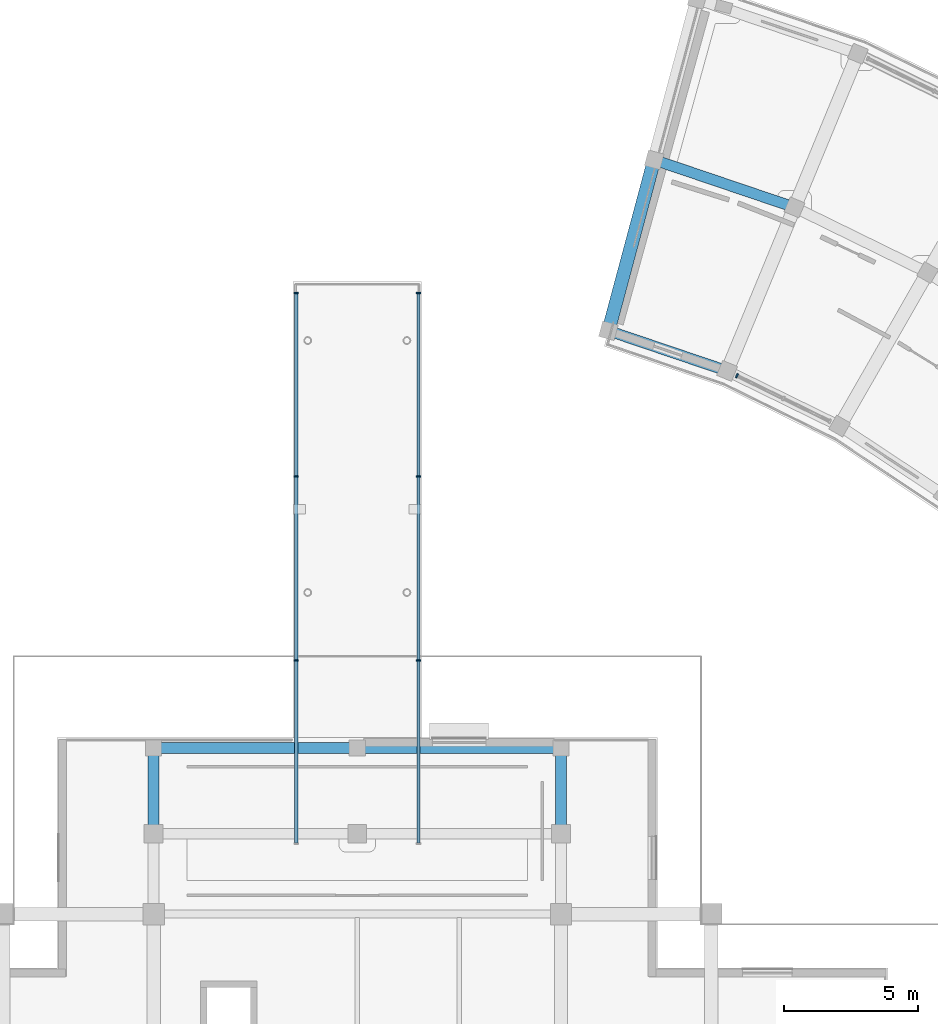
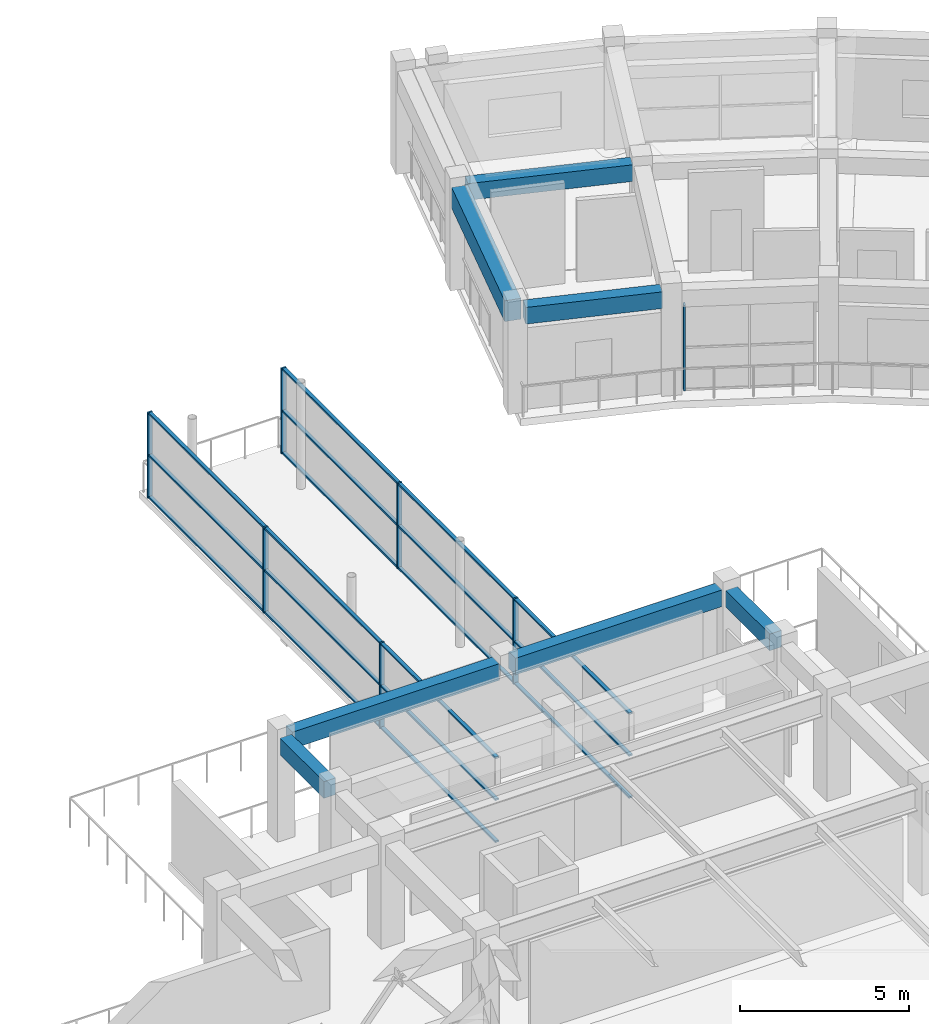
# One storey, part 31 of 72: 25 members, 7 beams, 3 elements without a shape of their own.
"""IFC4 building model written with IfcOpenShell, lengths in metres."""

from ifc_helpers import new_model, si_unit, direction, frame, origin, origin_2d, place, context, subcontext, project, spatial, rectangle, extrude, material, material_profile, profile_set, type_object, element, aggregate, save


model = new_model("IFC4")

# Units and contexts
model_context = context("Model", 3, precision=1e-05, world=origin(), true_north=direction((0.0, 1.0)))
body_context = subcontext(model_context, "Body", "Model", "MODEL_VIEW")
ifc_project = project(units=[si_unit("LENGTHUNIT", "METRE"), si_unit("AREAUNIT", "SQUARE_METRE"), si_unit("VOLUMEUNIT", "CUBIC_METRE"), si_unit("PLANEANGLEUNIT", "RADIAN"), si_unit("MASSUNIT", "GRAM", prefix="KILO")], contexts=[model_context])

# Site, building, storey
site_placement = place(None, origin())
site = spatial("IfcSite", under=ifc_project, at=site_placement, CompositionType="ELEMENT")
building_placement = place(site_placement, origin())
building = spatial("IfcBuilding", under=site, at=building_placement, Name="Saryqyr Civic Hall", CompositionType="ELEMENT")
storey_placement = place(building_placement, frame((0.0, 0.0, 17.25)))
storey = spatial("IfcBuildingStorey", under=building, at=storey_placement, Name="L04", CompositionType="ELEMENT", Elevation=17.25)

# Curtain wall, member
ifc_material_1 = material(Name="Anodised aluminium and triple low-E glass", Category="aluminium")
curtain_wall_type_1 = type_object("IfcCurtainWallType", Name="ENV-CW-STD-17", PredefinedType="NOTDEFINED", material=ifc_material_1)
curtain_wall_1_placement = place(storey_placement, origin())
curtain_wall_1 = element("IfcCurtainWall", 1, at=curtain_wall_1_placement, inside=storey, type_object=curtain_wall_type_1, Name="Curtain wall V6-CWI-L04-08", PredefinedType="NOTDEFINED")
ifc_material_2 = material(Name="Anodised aluminium", Category="aluminium")
ifc_material_profile_1 = material_profile(ifc_material_2, rectangle(XDim=0.06005859375, YDim=0.159912109375, at=origin_2d()), Name="ALU MULLION 60x160")
ifc_profile_set_1 = profile_set([ifc_material_profile_1], Name="Anodised aluminium")
member_type_1 = type_object("IfcMemberType", Name="ENV-CW-MUL-180", PredefinedType="MULLION", material=ifc_profile_set_1)
member_1_placement = place(storey_placement, frame((71.16455078125, 117.28759765625, 0.0), z_axis=(0.0, 0.0, 1.0), x_axis=(-0.897961859945, 0.440073287175, 0.0)))
member_1 = element("IfcMember", 2, at=member_1_placement, type_object=member_type_1, Name="CW-17 mullion 3", PredefinedType="MULLION", context=body_context, shape_type="SweptSolid", body=[
    extrude(rectangle(XDim=0.06005859375, YDim=0.159912109375, at=origin_2d()), origin(), (0.0, 0.0, 1.0), 3.0849609375),
])
aggregate(curtain_wall_1, [member_1])

# Curtain wall, members
curtain_wall_type_2 = type_object("IfcCurtainWallType", Name="ENV-CW-STD-88", PredefinedType="NOTDEFINED", material=ifc_material_1)
curtain_wall_2_placement = place(storey_placement, origin())
curtain_wall_2 = element("IfcCurtainWall", 3, at=curtain_wall_2_placement, inside=storey, type_object=curtain_wall_type_2, Name="Curtain wall BR-CN-CW1-L04", PredefinedType="NOTDEFINED")
member_2_placement = place(storey_placement, frame((54.719970703125, 106.666748046875, 0.0), z_axis=(0.0, 0.0, 1.0), x_axis=(0.0, 1.0, 0.0)))
member_2 = element("IfcMember", 4, at=member_2_placement, type_object=member_type_1, Name="CW-88 mullion 2", PredefinedType="MULLION", context=body_context, shape_type="SweptSolid", body=[
    extrude(rectangle(XDim=0.06005859375, YDim=0.159912109375, at=origin_2d()), origin(), (0.0, 0.0, 1.0), 3.0849609375),
])
member_3_placement = place(storey_placement, frame((54.719970703125, 113.533447265625, 0.0), z_axis=(0.0, 0.0, 1.0), x_axis=(0.0, 1.0, 0.0)))
member_3 = element("IfcMember", 5, at=member_3_placement, type_object=member_type_1, Name="CW-88 mullion 3", PredefinedType="MULLION", context=body_context, shape_type="SweptSolid", body=[
    extrude(rectangle(XDim=0.06005859375, YDim=0.159912109375, at=origin_2d()), origin(), (0.0, 0.0, 1.0), 3.0849609375),
])
member_4_placement = place(storey_placement, frame((54.719970703125, 120.3701171875, 0.0), z_axis=(0.0, 0.0, 1.0), x_axis=(0.0, 1.0, 0.0)))
member_4 = element("IfcMember", 6, at=member_4_placement, type_object=member_type_1, Name="CW-88 mullion 4", PredefinedType="MULLION", context=body_context, shape_type="SweptSolid", body=[
    extrude(rectangle(XDim=0.06005859375, YDim=0.159912109375, at=origin_2d()), origin(), (0.0, 0.0, 1.0), 3.0849609375),
])

curtain_wall_3_placement = place(storey_placement, origin())
curtain_wall_3 = element("IfcCurtainWall", 7, at=curtain_wall_3_placement, inside=storey, type_object=curtain_wall_type_2, Name="Curtain wall BR-CN-CW2-L04", PredefinedType="NOTDEFINED")
member_5_placement = place(storey_placement, frame((59.280029296875, 120.3701171875, 0.0), z_axis=(0.0, 0.0, 1.0), x_axis=(0.0, -1.0, 0.0)))
member_5 = element("IfcMember", 8, at=member_5_placement, type_object=member_type_1, Name="CW-88 mullion 1", PredefinedType="MULLION", context=body_context, shape_type="SweptSolid", body=[
    extrude(rectangle(XDim=0.06005859375, YDim=0.159912109375, at=origin_2d()), origin(), (0.0, 0.0, 1.0), 3.0849609375),
])
member_6_placement = place(storey_placement, frame((59.280029296875, 113.533447265625, 0.0), z_axis=(0.0, 0.0, 1.0), x_axis=(0.0, -1.0, 0.0)))
member_6 = element("IfcMember", 9, at=member_6_placement, type_object=member_type_1, Name="CW-88 mullion 2", PredefinedType="MULLION", context=body_context, shape_type="SweptSolid", body=[
    extrude(rectangle(XDim=0.06005859375, YDim=0.159912109375, at=origin_2d()), origin(), (0.0, 0.0, 1.0), 3.0849609375),
])
member_7_placement = place(storey_placement, frame((59.280029296875, 106.666748046875, 0.0), z_axis=(0.0, 0.0, 1.0), x_axis=(0.0, -1.0, 0.0)))
member_7 = element("IfcMember", 10, at=member_7_placement, type_object=member_type_1, Name="CW-88 mullion 3", PredefinedType="MULLION", context=body_context, shape_type="SweptSolid", body=[
    extrude(rectangle(XDim=0.06005859375, YDim=0.159912109375, at=origin_2d()), origin(), (0.0, 0.0, 1.0), 3.0849609375),
])

# Member
ifc_material_profile_2 = material_profile(ifc_material_2, rectangle(XDim=0.1201171875, YDim=0.06005859375, at=origin_2d()), Name="ALU TRANSOM 120x60")
ifc_profile_set_2 = profile_set([ifc_material_profile_2], Name="Anodised aluminium")
member_type_2 = type_object("IfcMemberType", Name="ENV-CW-TRN-150", PredefinedType="USERDEFINED", material=ifc_profile_set_2)
member_8_placement = place(storey_placement, frame((54.719970703125, 99.860107421875, 0.030029296875), z_axis=(0.0, 1.0, 0.0), x_axis=(-1.0, 0.0, 0.0)))
member_8 = element("IfcMember", 11, at=member_8_placement, type_object=member_type_2, Name="CW-88 transom 1.1", ObjectType="TRANSOM", PredefinedType="USERDEFINED", context=body_context, shape_type="SweptSolid", body=[
    extrude(rectangle(XDim=0.1201171875, YDim=0.06005859375, at=origin_2d()), origin(), (0.0, 0.0, 1.0), 6.776611328125),
])

member_9_placement = place(storey_placement, frame((54.719970703125, 99.860107421875, 1.54296875), z_axis=(0.0, 1.0, 0.0), x_axis=(-1.0, 0.0, 0.0)))
member_9 = element("IfcMember", 12, at=member_9_placement, type_object=member_type_2, Name="CW-88 transom 1.2", ObjectType="TRANSOM", PredefinedType="USERDEFINED", context=body_context, shape_type="SweptSolid", body=[
    extrude(rectangle(XDim=0.1201171875, YDim=0.06005859375, at=origin_2d()), origin(), (0.0, 0.0, 1.0), 6.776611328125),
])

member_10_placement = place(storey_placement, frame((54.719970703125, 99.860107421875, 3.054931640625), z_axis=(0.0, 1.0, 0.0), x_axis=(-1.0, 0.0, 0.0)))
member_10 = element("IfcMember", 13, at=member_10_placement, type_object=member_type_2, Name="CW-88 transom 1.3", ObjectType="TRANSOM", PredefinedType="USERDEFINED", context=body_context, shape_type="SweptSolid", body=[
    extrude(rectangle(XDim=0.1201171875, YDim=0.06005859375, at=origin_2d()), origin(), (0.0, 0.0, 1.0), 6.776611328125),
])

member_11_placement = place(storey_placement, frame((54.719970703125, 106.69677734375, 0.030029296875), z_axis=(0.0, 1.0, 0.0), x_axis=(-1.0, 0.0, 0.0)))
member_11 = element("IfcMember", 14, at=member_11_placement, type_object=member_type_2, Name="CW-88 transom 2.1", ObjectType="TRANSOM", PredefinedType="USERDEFINED", context=body_context, shape_type="SweptSolid", body=[
    extrude(rectangle(XDim=0.1201171875, YDim=0.06005859375, at=origin_2d()), origin(), (0.0, 0.0, 1.0), 6.806640625),
])

member_12_placement = place(storey_placement, frame((54.719970703125, 106.69677734375, 1.54296875), z_axis=(0.0, 1.0, 0.0), x_axis=(-1.0, 0.0, 0.0)))
member_12 = element("IfcMember", 15, at=member_12_placement, type_object=member_type_2, Name="CW-88 transom 2.2", ObjectType="TRANSOM", PredefinedType="USERDEFINED", context=body_context, shape_type="SweptSolid", body=[
    extrude(rectangle(XDim=0.1201171875, YDim=0.06005859375, at=origin_2d()), origin(), (0.0, 0.0, 1.0), 6.806640625),
])

member_13_placement = place(storey_placement, frame((54.719970703125, 106.69677734375, 3.054931640625), z_axis=(0.0, 1.0, 0.0), x_axis=(-1.0, 0.0, 0.0)))
member_13 = element("IfcMember", 16, at=member_13_placement, type_object=member_type_2, Name="CW-88 transom 2.3", ObjectType="TRANSOM", PredefinedType="USERDEFINED", context=body_context, shape_type="SweptSolid", body=[
    extrude(rectangle(XDim=0.1201171875, YDim=0.06005859375, at=origin_2d()), origin(), (0.0, 0.0, 1.0), 6.806640625),
])

member_14_placement = place(storey_placement, frame((54.719970703125, 113.563232421875, 0.030029296875), z_axis=(0.0, 1.0, 0.0), x_axis=(-1.0, 0.0, 0.0)))
member_14 = element("IfcMember", 17, at=member_14_placement, type_object=member_type_2, Name="CW-88 transom 3.1", ObjectType="TRANSOM", PredefinedType="USERDEFINED", context=body_context, shape_type="SweptSolid", body=[
    extrude(rectangle(XDim=0.1201171875, YDim=0.06005859375, at=origin_2d()), origin(), (0.0, 0.0, 1.0), 6.77685546875),
])

member_15_placement = place(storey_placement, frame((54.719970703125, 113.563232421875, 1.54296875), z_axis=(0.0, 1.0, 0.0), x_axis=(-1.0, 0.0, 0.0)))
member_15 = element("IfcMember", 18, at=member_15_placement, type_object=member_type_2, Name="CW-88 transom 3.2", ObjectType="TRANSOM", PredefinedType="USERDEFINED", context=body_context, shape_type="SweptSolid", body=[
    extrude(rectangle(XDim=0.1201171875, YDim=0.06005859375, at=origin_2d()), origin(), (0.0, 0.0, 1.0), 6.77685546875),
])

member_16_placement = place(storey_placement, frame((54.719970703125, 113.563232421875, 3.054931640625), z_axis=(0.0, 1.0, 0.0), x_axis=(-1.0, 0.0, 0.0)))
member_16 = element("IfcMember", 19, at=member_16_placement, type_object=member_type_2, Name="CW-88 transom 3.3", ObjectType="TRANSOM", PredefinedType="USERDEFINED", context=body_context, shape_type="SweptSolid", body=[
    extrude(rectangle(XDim=0.1201171875, YDim=0.06005859375, at=origin_2d()), origin(), (0.0, 0.0, 1.0), 6.77685546875),
])

aggregate(curtain_wall_2, [member_2, member_3, member_4, member_8, member_9, member_10, member_11, member_12, member_13, member_14, member_15, member_16])

member_17_placement = place(storey_placement, frame((59.280029296875, 120.340087890625, 0.030029296875), z_axis=(0.0, -1.0, 0.0), x_axis=(1.0, 0.0, 0.0)))
member_17 = element("IfcMember", 20, at=member_17_placement, type_object=member_type_2, Name="CW-88 transom 1.1", ObjectType="TRANSOM", PredefinedType="USERDEFINED", context=body_context, shape_type="SweptSolid", body=[
    extrude(rectangle(XDim=0.1201171875, YDim=0.06005859375, at=origin_2d()), origin(), (0.0, 0.0, 1.0), 6.77685546875),
])

member_18_placement = place(storey_placement, frame((59.280029296875, 120.340087890625, 1.54296875), z_axis=(0.0, -1.0, 0.0), x_axis=(1.0, 0.0, 0.0)))
member_18 = element("IfcMember", 21, at=member_18_placement, type_object=member_type_2, Name="CW-88 transom 1.2", ObjectType="TRANSOM", PredefinedType="USERDEFINED", context=body_context, shape_type="SweptSolid", body=[
    extrude(rectangle(XDim=0.1201171875, YDim=0.06005859375, at=origin_2d()), origin(), (0.0, 0.0, 1.0), 6.77685546875),
])

member_19_placement = place(storey_placement, frame((59.280029296875, 120.340087890625, 3.054931640625), z_axis=(0.0, -1.0, 0.0), x_axis=(1.0, 0.0, 0.0)))
member_19 = element("IfcMember", 22, at=member_19_placement, type_object=member_type_2, Name="CW-88 transom 1.3", ObjectType="TRANSOM", PredefinedType="USERDEFINED", context=body_context, shape_type="SweptSolid", body=[
    extrude(rectangle(XDim=0.1201171875, YDim=0.06005859375, at=origin_2d()), origin(), (0.0, 0.0, 1.0), 6.77685546875),
])

member_20_placement = place(storey_placement, frame((59.280029296875, 113.50341796875, 0.030029296875), z_axis=(0.0, -1.0, 0.0), x_axis=(1.0, 0.0, 0.0)))
member_20 = element("IfcMember", 23, at=member_20_placement, type_object=member_type_2, Name="CW-88 transom 2.1", ObjectType="TRANSOM", PredefinedType="USERDEFINED", context=body_context, shape_type="SweptSolid", body=[
    extrude(rectangle(XDim=0.1201171875, YDim=0.06005859375, at=origin_2d()), origin(), (0.0, 0.0, 1.0), 6.806640625),
])

member_21_placement = place(storey_placement, frame((59.280029296875, 113.50341796875, 1.54296875), z_axis=(0.0, -1.0, 0.0), x_axis=(1.0, 0.0, 0.0)))
member_21 = element("IfcMember", 24, at=member_21_placement, type_object=member_type_2, Name="CW-88 transom 2.2", ObjectType="TRANSOM", PredefinedType="USERDEFINED", context=body_context, shape_type="SweptSolid", body=[
    extrude(rectangle(XDim=0.1201171875, YDim=0.06005859375, at=origin_2d()), origin(), (0.0, 0.0, 1.0), 6.806640625),
])

member_22_placement = place(storey_placement, frame((59.280029296875, 113.50341796875, 3.054931640625), z_axis=(0.0, -1.0, 0.0), x_axis=(1.0, 0.0, 0.0)))
member_22 = element("IfcMember", 25, at=member_22_placement, type_object=member_type_2, Name="CW-88 transom 2.3", ObjectType="TRANSOM", PredefinedType="USERDEFINED", context=body_context, shape_type="SweptSolid", body=[
    extrude(rectangle(XDim=0.1201171875, YDim=0.06005859375, at=origin_2d()), origin(), (0.0, 0.0, 1.0), 6.806640625),
])

member_23_placement = place(storey_placement, frame((59.280029296875, 106.63671875, 0.030029296875), z_axis=(0.0, -1.0, 0.0), x_axis=(1.0, 0.0, 0.0)))
member_23 = element("IfcMember", 26, at=member_23_placement, type_object=member_type_2, Name="CW-88 transom 3.1", ObjectType="TRANSOM", PredefinedType="USERDEFINED", context=body_context, shape_type="SweptSolid", body=[
    extrude(rectangle(XDim=0.1201171875, YDim=0.06005859375, at=origin_2d()), origin(), (0.0, 0.0, 1.0), 6.776611328125),
])

member_24_placement = place(storey_placement, frame((59.280029296875, 106.63671875, 1.54296875), z_axis=(0.0, -1.0, 0.0), x_axis=(1.0, 0.0, 0.0)))
member_24 = element("IfcMember", 27, at=member_24_placement, type_object=member_type_2, Name="CW-88 transom 3.2", ObjectType="TRANSOM", PredefinedType="USERDEFINED", context=body_context, shape_type="SweptSolid", body=[
    extrude(rectangle(XDim=0.1201171875, YDim=0.06005859375, at=origin_2d()), origin(), (0.0, 0.0, 1.0), 6.776611328125),
])

member_25_placement = place(storey_placement, frame((59.280029296875, 106.63671875, 3.054931640625), z_axis=(0.0, -1.0, 0.0), x_axis=(1.0, 0.0, 0.0)))
member_25 = element("IfcMember", 28, at=member_25_placement, type_object=member_type_2, Name="CW-88 transom 3.3", ObjectType="TRANSOM", PredefinedType="USERDEFINED", context=body_context, shape_type="SweptSolid", body=[
    extrude(rectangle(XDim=0.1201171875, YDim=0.06005859375, at=origin_2d()), origin(), (0.0, 0.0, 1.0), 6.776611328125),
])

aggregate(curtain_wall_3, [member_5, member_6, member_7, member_17, member_18, member_19, member_20, member_21, member_22, member_23, member_24, member_25])

# Beams
ifc_material_3 = material(Name="Concrete C35/45", Category="concrete")
ifc_material_profile_3 = material_profile(ifc_material_3, rectangle(XDim=0.39990234375, YDim=0.60009765625, at=origin_2d()), Name="RC 400x600")
ifc_profile_set_3 = profile_set([ifc_material_profile_3], Name="Concrete C35/45")
beam_type_1 = type_object("IfcBeamType", Name="STR-BM-RC400x600", PredefinedType="BEAM", material=ifc_profile_set_3)
for number, where, z_axis, x_axis, name in (
    (29, (49.39990234375, 100.52490234375, 3.409912109375), (0.0, 1.0, 0.0), (-1.0, 0.0, 0.0), "Beam V1-TBM-27-L04"),
    (30, (64.60009765625, 100.52490234375, 3.409912109375), (0.0, 1.0, 0.0), (-1.0, 0.0, 0.0), "Beam V1-TBM-28-L04"),
):
    element("IfcBeam", number, at=place(storey_placement, frame(where, z_axis=z_axis, x_axis=x_axis)), inside=storey, type_object=beam_type_1, Name=name, PredefinedType="BEAM", context=body_context, shape_type="SweptSolid", body=[
        extrude(rectangle(XDim=0.39990234375, YDim=0.60009765625, at=origin_2d()), origin(), (0.0, 0.0, 1.0), 2.60009765625),
    ])
for number, where, z_axis, x_axis, name in (
    (31, (49.675048828125, 103.39990234375, 3.409912109375), (1.0, 0.0, 0.0), (0.0, 1.0, 0.0), "Beam V1-TBM-35-L04"),
    (32, (57.27490234375, 103.39990234375, 3.409912109375), (1.0, 0.0, 0.0), (0.0, 1.0, 0.0), "Beam V1-TBM-36-L04"),
):
    element("IfcBeam", number, at=place(storey_placement, frame(where, z_axis=z_axis, x_axis=x_axis)), inside=storey, type_object=beam_type_1, Name=name, PredefinedType="BEAM", context=body_context, shape_type="SweptSolid", body=[
        extrude(rectangle(XDim=0.39990234375, YDim=0.60009765625, at=origin_2d()), origin(), (0.0, 0.0, 1.0), 7.050048828125),
    ])
beam_1_placement = place(storey_placement, frame((73.052734375, 123.6572265625, 3.409912109375), z_axis=(-0.947191677807, 0.32066793649, 0.0), x_axis=(-0.32066793649, -0.947191677807, 0.0)))
element("IfcBeam", 33, at=beam_1_placement, inside=storey, type_object=beam_type_1, Name="Beam V6-CBM-MID09-L04", PredefinedType="BEAM", context=body_context, shape_type="SweptSolid", body=[
    extrude(rectangle(XDim=0.39990234375, YDim=0.60009765625, at=origin_2d()), origin(), (0.0, 0.0, 1.0), 4.977783203125),
])
ifc_material_profile_4 = material_profile(ifc_material_3, rectangle(XDim=0.39990234375, YDim=0.60009765625, at=origin_2d()), Name="RC 400x600")
ifc_profile_set_4 = profile_set([ifc_material_profile_4], Name="Concrete C35/45")
beam_type_2 = type_object("IfcBeamType", Name="STR-BM-RC400x600-EXT", PredefinedType="BEAM", material=ifc_profile_set_4)
beam_2_placement = place(storey_placement, frame((70.537109375, 117.5556640625, 3.409912109375), z_axis=(-0.947199378893, 0.320645188057, 0.0), x_axis=(-0.320645188057, -0.947199378893, 0.0)))
element("IfcBeam", 34, at=beam_2_placement, inside=storey, type_object=beam_type_2, Name="Beam V6-CBM-IN09-L04", PredefinedType="BEAM", context=body_context, shape_type="SweptSolid", body=[
    extrude(rectangle(XDim=0.39990234375, YDim=0.60009765625, at=origin_2d()), origin(), (0.0, 0.0, 1.0), 4.125244140625),
])
ifc_material_4 = material(Name="Concrete C40/50", Category="concrete")
ifc_material_profile_5 = material_profile(ifc_material_4, rectangle(XDim=0.5, YDim=0.75, at=origin_2d()), Name="RC 500x750")
ifc_profile_set_5 = profile_set([ifc_material_profile_5], Name="Concrete C40/50")
beam_type_3 = type_object("IfcBeamType", Name="STR-BM-RC500x750", PredefinedType="BEAM", material=ifc_profile_set_5)
beam_3_placement = place(storey_placement, frame((66.4404296875, 119.232177734375, 3.3349609375), z_axis=(0.258832905588, 0.965922112277, 0.0), x_axis=(-0.965922112277, 0.258832905588, 0.0)))
element("IfcBeam", 35, at=beam_3_placement, inside=storey, type_object=beam_type_3, Name="Beam V6-RBM-A10-L04", PredefinedType="BEAM", context=body_context, shape_type="SweptSolid", body=[
    extrude(rectangle(XDim=0.5, YDim=0.75, at=origin_2d()), origin(), (0.0, 0.0, 1.0), 6.0498046875),
])

save(model, "model.ifc")
